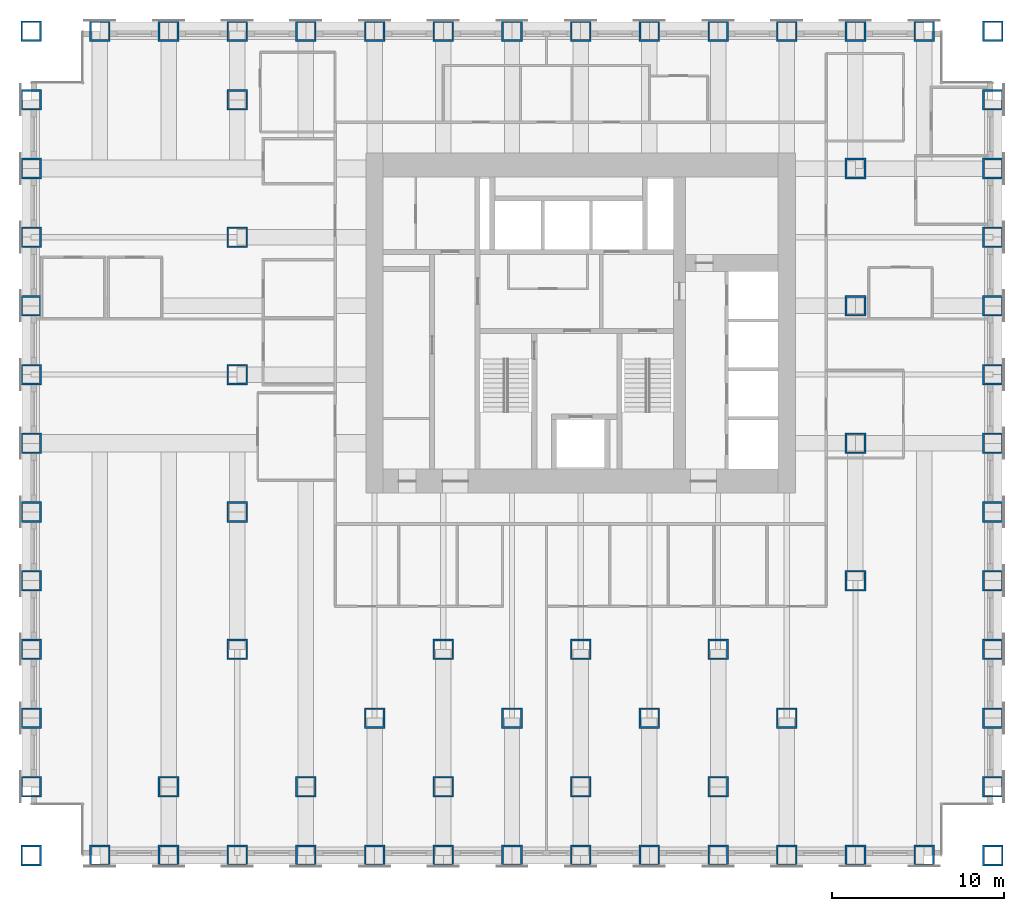
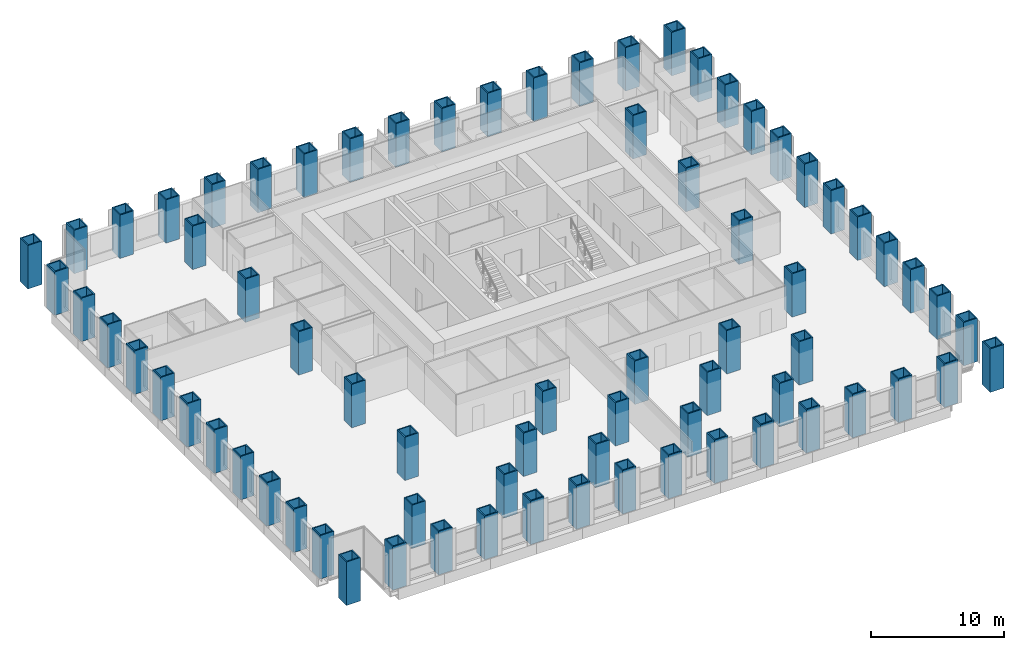
# One storey, part 1 of 15: 73 columns.
"""IFC4 building model written with IfcOpenShell, lengths in metres."""

from ifc_helpers import new_model, si_unit, direction, frame, origin, origin_2d, place, context, subcontext, project, spatial, hollow_rectangle, extrude, material, material_profile, profile_set, type_object, element, save


model = new_model("IFC4")

# Units and contexts
model_context = context("Model", 3, precision=1e-05, world=origin(), true_north=direction((0.0, 1.0)))
body_context = subcontext(model_context, "Body", "Model", "MODEL_VIEW")
ifc_project = project(units=[si_unit("LENGTHUNIT", "METRE"), si_unit("AREAUNIT", "SQUARE_METRE"), si_unit("VOLUMEUNIT", "CUBIC_METRE"), si_unit("PLANEANGLEUNIT", "RADIAN"), si_unit("MASSUNIT", "GRAM", prefix="KILO")], contexts=[model_context])

# Site, building, storey
site_placement = place(None, origin())
site = spatial("IfcSite", under=ifc_project, at=site_placement, CompositionType="ELEMENT")
building_placement = place(site_placement, origin())
building = spatial("IfcBuilding", under=site, at=building_placement, Name="Rimbunsela Tower", CompositionType="ELEMENT")
storey_placement = place(building_placement, frame((0.0, 0.0, 23.0)))
storey = spatial("IfcBuildingStorey", under=building, at=storey_placement, Name="L05", CompositionType="ELEMENT", Elevation=23.0)

# Columns
ifc_material = material(Name="Steel BJ 55 (fy 410 MPa)", Category="steel")
ifc_material_profile = material_profile(ifc_material, hollow_rectangle(XDim=1.199951171875, YDim=1.199951171875, WallThickness=0.10009765625, at=origin_2d()), Name="BOX 1200x1200x100")
ifc_profile_set = profile_set([ifc_material_profile], Name="Steel BJ 55 (fy 410 MPa)")
column_type = type_object("IfcColumnType", Name="Column BOX 1200x1200x100", PredefinedType="COLUMN", material=ifc_profile_set)
for number, where, z_axis, x_axis, name in (
    (1, (-2.0, -4.0, 0.0), (0.0, 0.0, 1.0), (1.0, 0.0, 0.0), "Column C7 2/A L05"),
    (2, (-2.0, 0.0, 0.0), (0.0, 0.0, 1.0), (1.0, 0.0, 0.0), "Column C7 2/B L05"),
    (3, (-2.0, 4.0, 0.0), (0.0, 0.0, 1.0), (1.0, 0.0, 0.0), "Column C7 2/C L05"),
    (4, (-2.0, 8.0, 0.0), (0.0, 0.0, 1.0), (1.0, 0.0, 0.0), "Column C7 2/D L05"),
    (5, (-2.0, 12.0, 0.0), (0.0, 0.0, 1.0), (1.0, 0.0, 0.0), "Column C7 2/E L05"),
    (6, (-2.0, 16.0, 0.0), (0.0, 0.0, 1.0), (1.0, 0.0, 0.0), "Column C7 2/F L05"),
    (7, (-2.0, 20.0, 0.0), (0.0, 0.0, 1.0), (1.0, 0.0, 0.0), "Column C7 2/G L05"),
    (8, (-2.0, 24.0, 0.0), (0.0, 0.0, 1.0), (1.0, 0.0, 0.0), "Column C7 2/H L05"),
    (9, (-2.0, 28.0, 0.0), (0.0, 0.0, 1.0), (1.0, 0.0, 0.0), "Column C7 2/J L05"),
    (10, (-2.0, 32.0, 0.0), (0.0, 0.0, 1.0), (1.0, 0.0, 0.0), "Column C7 2/K L05"),
    (11, (-2.0, 36.0, 0.0), (0.0, 0.0, 1.0), (1.0, 0.0, 0.0), "Column C7 2/L L05"),
    (12, (-2.0, 40.0, 0.0), (0.0, 0.0, 1.0), (1.0, 0.0, 0.0), "Column C7 2/M L05"),
    (13, (-2.0, 44.0, 0.0), (0.0, 0.0, 1.0), (1.0, 0.0, 0.0), "Column C7 2/N L05"),
    (14, (2.0, -4.0, 0.0), (0.0, 0.0, 1.0), (1.0, 0.0, 0.0), "Column C7 3/A L05"),
    (15, (2.0, 44.0, 0.0), (0.0, 0.0, 1.0), (1.0, 0.0, 0.0), "Column C7 3/N L05"),
    (16, (6.0, -4.0, 0.0), (0.0, 0.0, 1.0), (1.0, 0.0, 0.0), "Column C7 4/A L05"),
    (17, (6.0, 44.0, 0.0), (0.0, 0.0, 1.0), (1.0, 0.0, 0.0), "Column C7 4/N L05"),
    (18, (10.0, -4.0, 0.0), (0.0, 0.0, 1.0), (1.0, 0.0, 0.0), "Column C7 5/A L05"),
    (19, (10.0, 44.0, 0.0), (0.0, 0.0, 1.0), (1.0, 0.0, 0.0), "Column C7 5/N L05"),
    (20, (14.0, -4.0, 0.0), (0.0, 0.0, 1.0), (1.0, 0.0, 0.0), "Column C7 6/A L05"),
    (21, (14.0, 44.0, 0.0), (0.0, 0.0, 1.0), (1.0, 0.0, 0.0), "Column C7 6/N L05"),
    (22, (18.0, -4.0, 0.0), (0.0, 0.0, 1.0), (1.0, 0.0, 0.0), "Column C7 7/A L05"),
    (23, (18.0, 44.0, 0.0), (0.0, 0.0, 1.0), (1.0, 0.0, 0.0), "Column C7 7/N L05"),
    (24, (22.0, -4.0, 0.0), (0.0, 0.0, 1.0), (1.0, 0.0, 0.0), "Column C7 8/A L05"),
    (25, (22.0, 44.0, 0.0), (0.0, 0.0, 1.0), (1.0, 0.0, 0.0), "Column C7 8/N L05"),
    (26, (26.0, -4.0, 0.0), (0.0, 0.0, 1.0), (1.0, 0.0, 0.0), "Column C7 9/A L05"),
    (27, (26.0, 44.0, 0.0), (0.0, 0.0, 1.0), (1.0, 0.0, 0.0), "Column C7 9/N L05"),
    (28, (30.0, -4.0, 0.0), (0.0, 0.0, 1.0), (1.0, 0.0, 0.0), "Column C7 10/A L05"),
    (29, (30.0, 44.0, 0.0), (0.0, 0.0, 1.0), (1.0, 0.0, 0.0), "Column C7 10/N L05"),
    (30, (34.0, -4.0, 0.0), (0.0, 0.0, 1.0), (1.0, 0.0, 0.0), "Column C7 11/A L05"),
    (31, (34.0, 44.0, 0.0), (0.0, 0.0, 1.0), (1.0, 0.0, 0.0), "Column C7 11/N L05"),
    (32, (38.0, -4.0, 0.0), (0.0, 0.0, 1.0), (1.0, 0.0, 0.0), "Column C7 12/A L05"),
    (33, (38.0, 44.0, 0.0), (0.0, 0.0, 1.0), (1.0, 0.0, 0.0), "Column C7 12/N L05"),
    (34, (42.0, -4.0, 0.0), (0.0, 0.0, 1.0), (1.0, 0.0, 0.0), "Column C7 13/A L05"),
    (35, (42.0, 44.0, 0.0), (0.0, 0.0, 1.0), (1.0, 0.0, 0.0), "Column C7 13/N L05"),
    (36, (46.0, -4.0, 0.0), (0.0, 0.0, 1.0), (1.0, 0.0, 0.0), "Column C7 14/A L05"),
    (37, (46.0, 44.0, 0.0), (0.0, 0.0, 1.0), (1.0, 0.0, 0.0), "Column C7 14/N L05"),
    (38, (50.0, -4.0, 0.0), (0.0, 0.0, 1.0), (1.0, 0.0, 0.0), "Column C7 15/A L05"),
    (39, (50.0, 44.0, 0.0), (0.0, 0.0, 1.0), (1.0, 0.0, 0.0), "Column C7 15/N L05"),
    (40, (54.0, -4.0, 0.0), (0.0, 0.0, 1.0), (1.0, 0.0, 0.0), "Column C7 16/A L05"),
    (41, (54.0, 0.0, 0.0), (0.0, 0.0, 1.0), (1.0, 0.0, 0.0), "Column C7 16/B L05"),
    (42, (54.0, 4.0, 0.0), (0.0, 0.0, 1.0), (1.0, 0.0, 0.0), "Column C7 16/C L05"),
    (43, (54.0, 8.0, 0.0), (0.0, 0.0, 1.0), (1.0, 0.0, 0.0), "Column C7 16/D L05"),
    (44, (54.0, 12.0, 0.0), (0.0, 0.0, 1.0), (1.0, 0.0, 0.0), "Column C7 16/E L05"),
    (45, (54.0, 16.0, 0.0), (0.0, 0.0, 1.0), (1.0, 0.0, 0.0), "Column C7 16/F L05"),
    (46, (54.0, 20.0, 0.0), (0.0, 0.0, 1.0), (1.0, 0.0, 0.0), "Column C7 16/G L05"),
    (47, (54.0, 24.0, 0.0), (0.0, 0.0, 1.0), (1.0, 0.0, 0.0), "Column C7 16/H L05"),
    (48, (54.0, 28.0, 0.0), (0.0, 0.0, 1.0), (1.0, 0.0, 0.0), "Column C7 16/J L05"),
    (49, (54.0, 32.0, 0.0), (0.0, 0.0, 1.0), (1.0, 0.0, 0.0), "Column C7 16/K L05"),
    (50, (54.0, 36.0, 0.0), (0.0, 0.0, 1.0), (1.0, 0.0, 0.0), "Column C7 16/L L05"),
    (51, (54.0, 40.0, 0.0), (0.0, 0.0, 1.0), (1.0, 0.0, 0.0), "Column C7 16/M L05"),
    (52, (54.0, 44.0, 0.0), (0.0, 0.0, 1.0), (1.0, 0.0, 0.0), "Column C7 16/N L05"),
    (53, (6.0, 0.0, 0.0), (0.0, 0.0, 1.0), (1.0, 0.0, 0.0), "Column C7 4/B L05"),
    (54, (10.0, 8.0, 0.0), (0.0, 0.0, 1.0), (1.0, 0.0, 0.0), "Column C7 5/D L05"),
    (55, (10.0, 16.0, 0.0), (0.0, 0.0, 1.0), (1.0, 0.0, 0.0), "Column C7 5/F L05"),
    (56, (10.0, 24.0, 0.0), (0.0, 0.0, 1.0), (1.0, 0.0, 0.0), "Column C7 5/H L05"),
    (57, (10.0, 32.0, 0.0), (0.0, 0.0, 1.0), (1.0, 0.0, 0.0), "Column C7 5/K L05"),
    (58, (10.0, 40.0, 0.0), (0.0, 0.0, 1.0), (1.0, 0.0, 0.0), "Column C7 5/M L05"),
    (59, (14.0, 0.0, 0.0), (0.0, 0.0, 1.0), (1.0, 0.0, 0.0), "Column C7 6/B L05"),
    (60, (18.0, 4.0, 0.0), (0.0, 0.0, 1.0), (1.0, 0.0, 0.0), "Column C7 7/C L05"),
    (61, (22.0, 0.0, 0.0), (0.0, 0.0, 1.0), (1.0, 0.0, 0.0), "Column C7 8/B L05"),
    (62, (22.0, 8.0, 0.0), (0.0, 0.0, 1.0), (1.0, 0.0, 0.0), "Column C7 8/D L05"),
    (63, (26.0, 4.0, 0.0), (0.0, 0.0, 1.0), (1.0, 0.0, 0.0), "Column C7 9/C L05"),
    (64, (30.0, 0.0, 0.0), (0.0, 0.0, 1.0), (1.0, 0.0, 0.0), "Column C7 10/B L05"),
    (65, (30.0, 8.0, 0.0), (0.0, 0.0, 1.0), (1.0, 0.0, 0.0), "Column C7 10/D L05"),
    (66, (34.0, 4.0, 0.0), (0.0, 0.0, 1.0), (1.0, 0.0, 0.0), "Column C7 11/C L05"),
    (67, (38.0, 0.0, 0.0), (0.0, 0.0, 1.0), (1.0, 0.0, 0.0), "Column C7 12/B L05"),
    (68, (38.0, 8.0, 0.0), (0.0, 0.0, 1.0), (1.0, 0.0, 0.0), "Column C7 12/D L05"),
    (69, (42.0, 4.0, 0.0), (0.0, 0.0, 1.0), (1.0, 0.0, 0.0), "Column C7 13/C L05"),
    (70, (46.0, 12.0, 0.0), (0.0, 0.0, 1.0), (1.0, 0.0, 0.0), "Column C7 14/E L05"),
    (71, (46.0, 20.0, 0.0), (0.0, 0.0, 1.0), (1.0, 0.0, 0.0), "Column C7 14/G L05"),
    (72, (46.0, 28.0, 0.0), (0.0, 0.0, 1.0), (1.0, 0.0, 0.0), "Column C7 14/J L05"),
    (73, (46.0, 36.0, 0.0), (0.0, 0.0, 1.0), (1.0, 0.0, 0.0), "Column C7 14/L L05"),
):
    element("IfcColumn", number, at=place(storey_placement, frame(where, z_axis=z_axis, x_axis=x_axis)), inside=storey, type_object=column_type, Name=name, PredefinedType="COLUMN", context=body_context, shape_type="SweptSolid", body=[
        extrude(hollow_rectangle(XDim=1.199951171875, YDim=1.199951171875, WallThickness=0.10009765625, at=origin_2d()), origin(), (0.0, 0.0, 1.0), 4.0),
    ])

save(model, "model.ifc")
